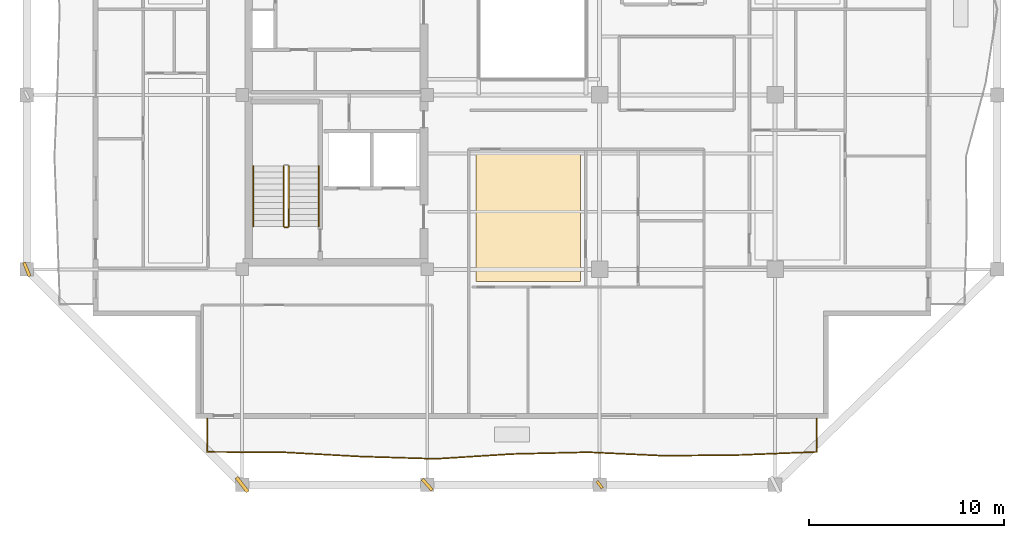
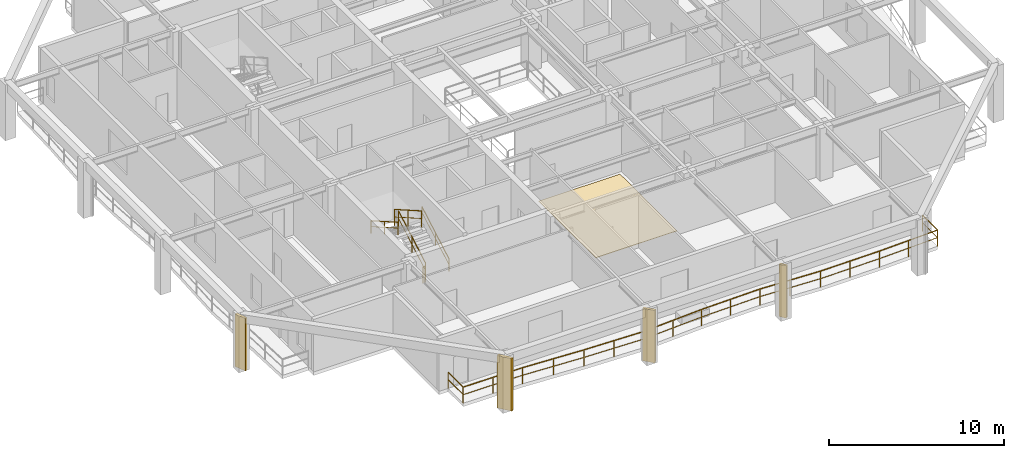
# One storey, part 7 of 11: 6 railings, 4 shading devices, 1 covering.
"""IFC4 building model written with IfcOpenShell, lengths in metres."""

from ifc_helpers import new_model, si_unit, direction, frame, origin, origin_2d, place, context, subcontext, project, spatial, polyline, rectangle, outline, extrude, material, layer, layer_set, type_object, element, save


model = new_model("IFC4")

# Units and contexts
model_context = context("Model", 3, precision=1e-05, world=origin(), true_north=direction((0.0, 1.0)))
body_context = subcontext(model_context, "Body", "Model", "MODEL_VIEW")
ifc_project = project(units=[si_unit("LENGTHUNIT", "METRE"), si_unit("AREAUNIT", "SQUARE_METRE"), si_unit("VOLUMEUNIT", "CUBIC_METRE"), si_unit("PLANEANGLEUNIT", "RADIAN"), si_unit("MASSUNIT", "GRAM", prefix="KILO")], contexts=[model_context])

# Site, building, storey
site_placement = place(None, origin())
site = spatial("IfcSite", under=ifc_project, at=site_placement, CompositionType="ELEMENT")
building_placement = place(site_placement, origin())
building = spatial("IfcBuilding", under=site, at=building_placement, Name="Kundavana Baori Tower", CompositionType="ELEMENT")
storey_placement = place(building_placement, frame((0.0, 0.0, 218.0)))
storey = spatial("IfcBuildingStorey", under=building, at=storey_placement, Name="L53", CompositionType="ELEMENT", Elevation=218.0)

# Covering
ifc_material_1 = material(Name="Honed Kota Stone and Terrazzo Flooring", Category="masonry")
ifc_layer = layer(ifc_material_1, 0.030029296875, Name="COV-INT-FLR")
ifc_layer_set = layer_set([ifc_layer], Name="Honed Kota Stone and Terrazzo Flooring")
covering_type = type_object("IfcCoveringType", Name="COV-INT-FLR", PredefinedType="FLOORING", material=ifc_layer_set)
covering_placement = place(storey_placement, origin())
element("IfcCovering", 1, at=covering_placement, inside=storey, type_object=covering_type, Name="L53 Room Finished Stone Flooring 3", PredefinedType="FLOORING", context=body_context, shape_type="SweptSolid", body=[
    extrude(outline(polyline([(27.43994140625, 14.6201171875), (32.81005859375, 14.6201171875), (32.81005859375, 21.139892578125), (27.43994140625, 21.139892578125), (27.43994140625, 14.6201171875)])), origin(), (0.0, 0.0, 1.0), 0.030029296875),
])

# Railings
ifc_material_2 = material(Name="Architectural Patinated Bronze Metalwork")
railing_type_1 = type_object("IfcRailingType", Name="RL-BAL-1150", PredefinedType="BALUSTRADE", material=ifc_material_2)
railing_1_placement = place(storey_placement, frame((44.949951171875, 7.60009765625, 0.0)))
element("IfcRailing", 2, at=railing_1_placement, inside=storey, type_object=railing_type_1, Name="L53 Loggia Balcony Balustrade S", PredefinedType="BALUSTRADE", context=body_context, shape_type="SweptSolid", body=[
    extrude(rectangle(XDim=0.048095703125, YDim=0.048095703125, at=origin_2d()), frame((0.0, 0.0, 1.1259765625), z_axis=(0.0, -1.0, 0.0), x_axis=(1.0, 0.0, 0.0)), (0.0, 0.0, 1.0), 1.72021484375),
    extrude(rectangle(XDim=0.03125, YDim=0.03125, at=origin_2d()), frame((0.0, 0.0, 0.597900390625), z_axis=(0.0, -1.0, 0.0), x_axis=(1.0, 0.0, 0.0)), (0.0, 0.0, 1.0), 1.72021484375),
    extrude(rectangle(XDim=0.048095703125, YDim=0.048095703125, at=origin_2d()), frame((0.0, -1.72021484375, 1.1259765625), z_axis=(-0.999185745422, -0.040346575378, 0.0), x_axis=(0.040346575378, -0.999185745422, 0.0)), (0.0, 0.0, 1.0), 3.9150390625),
    extrude(rectangle(XDim=0.03125, YDim=0.03125, at=origin_2d()), frame((0.0, -1.72021484375, 0.597900390625), z_axis=(-0.999185745422, -0.040346575378, 0.0), x_axis=(0.040346575378, -0.999185745422, 0.0)), (0.0, 0.0, 1.0), 3.9150390625),
    extrude(rectangle(XDim=0.048095703125, YDim=0.048095703125, at=origin_2d()), frame((-3.911865234375, -1.878173828125, 1.1259765625), z_axis=(-0.999942425427, -0.010730602519, 0.0), x_axis=(0.010730602519, -0.999942425427, 0.0)), (0.0, 0.0, 1.0), 3.913330078125),
    extrude(rectangle(XDim=0.03125, YDim=0.03125, at=origin_2d()), frame((-3.911865234375, -1.878173828125, 0.597900390625), z_axis=(-0.999942425427, -0.010730602519, 0.0), x_axis=(0.010730602519, -0.999942425427, 0.0)), (0.0, 0.0, 1.0), 3.913330078125),
    extrude(rectangle(XDim=0.048095703125, YDim=0.048095703125, at=origin_2d()), frame((-7.824951171875, -1.920166015625, 1.1259765625), z_axis=(-0.998906452075, 0.046753609527, 0.0), x_axis=(-0.046753609527, -0.998906452075, 0.0)), (0.0, 0.0, 1.0), 3.91650390625),
    extrude(rectangle(XDim=0.03125, YDim=0.03125, at=origin_2d()), frame((-7.824951171875, -1.920166015625, 0.597900390625), z_axis=(-0.998906452075, 0.046753609527, 0.0), x_axis=(-0.046753609527, -0.998906452075, 0.0)), (0.0, 0.0, 1.0), 3.91650390625),
    extrude(rectangle(XDim=0.048095703125, YDim=0.048095703125, at=origin_2d()), frame((-11.737060546875, -1.737060546875, 1.1259765625), z_axis=(-0.999717556584, -0.023765669748, 0.0), x_axis=(0.023765669748, -0.999717556584, 0.0)), (0.0, 0.0, 1.0), 3.9140625),
    extrude(rectangle(XDim=0.03125, YDim=0.03125, at=origin_2d()), frame((-11.737060546875, -1.737060546875, 0.597900390625), z_axis=(-0.999717556584, -0.023765669748, 0.0), x_axis=(0.023765669748, -0.999717556584, 0.0)), (0.0, 0.0, 1.0), 3.9140625),
    extrude(rectangle(XDim=0.048095703125, YDim=0.048095703125, at=origin_2d()), frame((-15.64990234375, -1.830078125, 1.1259765625), z_axis=(-0.998011652171, -0.063029692461, 0.0), x_axis=(0.063029692461, -0.998011652171, 0.0)), (0.0, 0.0, 1.0), 3.919921875),
    extrude(rectangle(XDim=0.03125, YDim=0.03125, at=origin_2d()), frame((-15.64990234375, -1.830078125, 0.597900390625), z_axis=(-0.998011652171, -0.063029692461, 0.0), x_axis=(0.063029692461, -0.998011652171, 0.0)), (0.0, 0.0, 1.0), 3.919921875),
    extrude(rectangle(XDim=0.048095703125, YDim=0.048095703125, at=origin_2d()), frame((-19.56201171875, -2.0771484375, 1.1259765625), z_axis=(-0.999529143125, 0.030683742336, 0.0), x_axis=(-0.030683742336, -0.999529143125, 0.0)), (0.0, 0.0, 1.0), 3.914794921875),
    extrude(rectangle(XDim=0.03125, YDim=0.03125, at=origin_2d()), frame((-19.56201171875, -2.0771484375, 0.597900390625), z_axis=(-0.999529143125, 0.030683742336, 0.0), x_axis=(-0.030683742336, -0.999529143125, 0.0)), (0.0, 0.0, 1.0), 3.914794921875),
    extrude(rectangle(XDim=0.048095703125, YDim=0.048095703125, at=origin_2d()), frame((-23.474853515625, -1.95703125, 1.1259765625), z_axis=(-0.998465332781, 0.055380314502, 0.0), x_axis=(-0.055380314502, -0.998465332781, 0.0)), (0.0, 0.0, 1.0), 3.919189453125),
    extrude(rectangle(XDim=0.03125, YDim=0.03125, at=origin_2d()), frame((-23.474853515625, -1.95703125, 0.597900390625), z_axis=(-0.998465332781, 0.055380314502, 0.0), x_axis=(-0.055380314502, -0.998465332781, 0.0)), (0.0, 0.0, 1.0), 3.919189453125),
    extrude(rectangle(XDim=0.048095703125, YDim=0.048095703125, at=origin_2d()), frame((-27.387939453125, -1.739990234375, 1.1259765625), z_axis=(-0.999987224149, 0.005054853043, 0.0), x_axis=(-0.005054853043, -0.999987224149, 0.0)), (0.0, 0.0, 1.0), 3.912109375),
    extrude(rectangle(XDim=0.03125, YDim=0.03125, at=origin_2d()), frame((-27.387939453125, -1.739990234375, 0.597900390625), z_axis=(-0.999987224149, 0.005054853043, 0.0), x_axis=(-0.005054853043, -0.999987224149, 0.0)), (0.0, 0.0, 1.0), 3.912109375),
    extrude(rectangle(XDim=0.048095703125, YDim=0.048095703125, at=origin_2d()), frame((-31.300048828125, -1.72021484375, 1.1259765625), z_axis=(0.0, 1.0, 0.0), x_axis=(-1.0, 0.0, 0.0)), (0.0, 0.0, 1.0), 1.72021484375),
    extrude(rectangle(XDim=0.03125, YDim=0.03125, at=origin_2d()), frame((-31.300048828125, -1.72021484375, 0.597900390625), z_axis=(0.0, 1.0, 0.0), x_axis=(-1.0, 0.0, 0.0)), (0.0, 0.0, 1.0), 1.72021484375),
    extrude(rectangle(XDim=0.0419921875, YDim=0.0419921875, at=origin_2d()), origin(), (0.0, 0.0, 1.0), 1.101806640625),
    extrude(rectangle(XDim=0.0419921875, YDim=0.0419921875, at=origin_2d()), frame((0.0, -1.72021484375, 0.0)), (0.0, 0.0, 1.0), 1.101806640625),
    extrude(rectangle(XDim=0.0419921875, YDim=0.0419921875, at=origin_2d()), frame((-1.9560546875, -1.79931640625, 0.0)), (0.0, 0.0, 1.0), 1.101806640625),
    extrude(rectangle(XDim=0.0419921875, YDim=0.0419921875, at=origin_2d()), frame((-3.911865234375, -1.878173828125, 0.0)), (0.0, 0.0, 1.0), 1.101806640625),
    extrude(rectangle(XDim=0.0419921875, YDim=0.0419921875, at=origin_2d()), frame((-5.868408203125, -1.899169921875, 0.0)), (0.0, 0.0, 1.0), 1.101806640625),
    extrude(rectangle(XDim=0.0419921875, YDim=0.0419921875, at=origin_2d()), frame((-7.824951171875, -1.920166015625, 0.0)), (0.0, 0.0, 1.0), 1.101806640625),
    extrude(rectangle(XDim=0.0419921875, YDim=0.0419921875, at=origin_2d()), frame((-9.781005859375, -1.82861328125, 0.0)), (0.0, 0.0, 1.0), 1.101806640625),
    extrude(rectangle(XDim=0.0419921875, YDim=0.0419921875, at=origin_2d()), frame((-11.737060546875, -1.737060546875, 0.0)), (0.0, 0.0, 1.0), 1.101806640625),
    extrude(rectangle(XDim=0.0419921875, YDim=0.0419921875, at=origin_2d()), frame((-13.693359375, -1.78369140625, 0.0)), (0.0, 0.0, 1.0), 1.101806640625),
    extrude(rectangle(XDim=0.0419921875, YDim=0.0419921875, at=origin_2d()), frame((-15.64990234375, -1.830078125, 0.0)), (0.0, 0.0, 1.0), 1.101806640625),
    extrude(rectangle(XDim=0.0419921875, YDim=0.0419921875, at=origin_2d()), frame((-17.60595703125, -1.95361328125, 0.0)), (0.0, 0.0, 1.0), 1.101806640625),
    extrude(rectangle(XDim=0.0419921875, YDim=0.0419921875, at=origin_2d()), frame((-19.56201171875, -2.0771484375, 0.0)), (0.0, 0.0, 1.0), 1.101806640625),
    extrude(rectangle(XDim=0.0419921875, YDim=0.0419921875, at=origin_2d()), frame((-21.5185546875, -2.01708984375, 0.0)), (0.0, 0.0, 1.0), 1.101806640625),
    extrude(rectangle(XDim=0.0419921875, YDim=0.0419921875, at=origin_2d()), frame((-23.474853515625, -1.95703125, 0.0)), (0.0, 0.0, 1.0), 1.101806640625),
    extrude(rectangle(XDim=0.0419921875, YDim=0.0419921875, at=origin_2d()), frame((-25.431396484375, -1.8486328125, 0.0)), (0.0, 0.0, 1.0), 1.101806640625),
    extrude(rectangle(XDim=0.0419921875, YDim=0.0419921875, at=origin_2d()), frame((-27.387939453125, -1.739990234375, 0.0)), (0.0, 0.0, 1.0), 1.101806640625),
    extrude(rectangle(XDim=0.0419921875, YDim=0.0419921875, at=origin_2d()), frame((-29.343994140625, -1.72998046875, 0.0)), (0.0, 0.0, 1.0), 1.101806640625),
    extrude(rectangle(XDim=0.0419921875, YDim=0.0419921875, at=origin_2d()), frame((-31.300048828125, -1.72021484375, 0.0)), (0.0, 0.0, 1.0), 1.101806640625),
    extrude(rectangle(XDim=0.0419921875, YDim=0.0419921875, at=origin_2d()), frame((-31.300048828125, 0.0, 0.0)), (0.0, 0.0, 1.0), 1.101806640625),
])
ifc_material_3 = material(Name="Architectural Patinated Bronze Metalwork")
railing_type_2 = type_object("IfcRailingType", Name="RL-GRD-1150", PredefinedType="GUARDRAIL", material=ifc_material_3)
railing_2_placement = place(storey_placement, frame((17.840087890625, 17.449951171875, 0.17724609375)))
element("IfcRailing", 3, at=railing_2_placement, inside=storey, type_object=railing_type_2, Name="L53 ST1 stair guard 1", PredefinedType="GUARDRAIL", context=body_context, shape_type="SweptSolid", body=[
    extrude(rectangle(XDim=0.048095703125, YDim=0.048095703125, at=origin_2d()), frame((0.0, 0.0, 1.1259765625), z_axis=(0.0, 0.868095856688, 0.496396599103), x_axis=(-1.0, 0.0, 0.0)), (0.0, 0.0, 1.0), 3.571044921875),
    extrude(rectangle(XDim=0.03125, YDim=0.03125, at=origin_2d()), frame((0.0, 0.0, 0.597900390625), z_axis=(0.0, 0.868095856688, 0.496396599103), x_axis=(-1.0, 0.0, 0.0)), (0.0, 0.0, 1.0), 3.571044921875),
    extrude(rectangle(XDim=0.0419921875, YDim=0.0419921875, at=origin_2d()), origin(), (0.0, 0.0, 1.0), 1.101806640625),
    extrude(rectangle(XDim=0.0419921875, YDim=0.0419921875, at=origin_2d()), frame((0.0, 1.550048828125, 0.88623046875)), (0.0, 0.0, 1.0), 1.101806640625),
    extrude(rectangle(XDim=0.0419921875, YDim=0.0419921875, at=origin_2d()), frame((0.0, 3.10009765625, 1.772705078125)), (0.0, 0.0, 1.0), 1.101806640625),
])
railing_3_placement = place(storey_placement, frame((17.580078125, 20.550048828125, 2.127197265625)))
element("IfcRailing", 4, at=railing_3_placement, inside=storey, type_object=railing_type_2, Name="L53 ST1 stair guard 3", PredefinedType="GUARDRAIL", context=body_context, shape_type="SweptSolid", body=[
    extrude(rectangle(XDim=0.048095703125, YDim=0.048095703125, at=origin_2d()), frame((0.0, 0.0, 1.1259765625), z_axis=(0.0, -0.868095856688, 0.496396599103), x_axis=(1.0, 0.0, 0.0)), (0.0, 0.0, 1.0), 3.571044921875),
    extrude(rectangle(XDim=0.03125, YDim=0.03125, at=origin_2d()), frame((0.0, 0.0, 0.597900390625), z_axis=(0.0, -0.868095856688, 0.496396599103), x_axis=(1.0, 0.0, 0.0)), (0.0, 0.0, 1.0), 3.571044921875),
    extrude(rectangle(XDim=0.0419921875, YDim=0.0419921875, at=origin_2d()), origin(), (0.0, 0.0, 1.0), 1.101806640625),
    extrude(rectangle(XDim=0.0419921875, YDim=0.0419921875, at=origin_2d()), frame((0.0, -1.550048828125, 0.88623046875)), (0.0, 0.0, 1.0), 1.101806640625),
    extrude(rectangle(XDim=0.0419921875, YDim=0.0419921875, at=origin_2d()), frame((0.0, -3.10009765625, 1.772705078125)), (0.0, 0.0, 1.0), 1.101806640625),
])
railing_4_placement = place(storey_placement, frame((17.7900390625, 17.39990234375, 0.0)))
element("IfcRailing", 5, at=railing_4_placement, inside=storey, type_object=railing_type_2, Name="L53 ST1 stair guard 4", PredefinedType="GUARDRAIL", context=body_context, shape_type="SweptSolid", body=[
    extrude(rectangle(XDim=0.048095703125, YDim=0.048095703125, at=origin_2d()), frame((0.0, 0.0, 1.1259765625), z_axis=(-1.0, 0.0, 0.0), x_axis=(0.0, -1.0, 0.0)), (0.0, 0.0, 1.0), 0.16015625),
    extrude(rectangle(XDim=0.03125, YDim=0.03125, at=origin_2d()), frame((0.0, 0.0, 0.597900390625), z_axis=(-1.0, 0.0, 0.0), x_axis=(0.0, -1.0, 0.0)), (0.0, 0.0, 1.0), 0.16015625),
    extrude(rectangle(XDim=0.0419921875, YDim=0.0419921875, at=origin_2d()), origin(), (0.0, 0.0, 1.0), 1.101806640625),
    extrude(rectangle(XDim=0.0419921875, YDim=0.0419921875, at=origin_2d()), frame((-0.16015625, 0.0, 0.0)), (0.0, 0.0, 1.0), 1.101806640625),
])
ifc_material_4 = material(Name="Architectural Patinated Bronze Metalwork")
railing_type_3 = type_object("IfcRailingType", Name="RL-HND-920", PredefinedType="HANDRAIL", material=ifc_material_4)
railing_5_placement = place(storey_placement, frame((19.389892578125, 17.449951171875, 0.17724609375)))
element("IfcRailing", 6, at=railing_5_placement, inside=storey, type_object=railing_type_3, Name="L53 ST1 stair handrail 1", PredefinedType="HANDRAIL", context=body_context, shape_type="SweptSolid", body=[
    extrude(rectangle(XDim=0.048095703125, YDim=0.048095703125, at=origin_2d()), frame((0.0, 0.0, 0.8759765625), z_axis=(0.0, 0.868095856688, 0.496396599103), x_axis=(-1.0, 0.0, 0.0)), (0.0, 0.0, 1.0), 3.571044921875),
    extrude(rectangle(XDim=0.03125, YDim=0.03125, at=origin_2d()), frame((0.0, 0.0, 0.468017578125), z_axis=(0.0, 0.868095856688, 0.496396599103), x_axis=(-1.0, 0.0, 0.0)), (0.0, 0.0, 1.0), 3.571044921875),
    extrude(rectangle(XDim=0.0419921875, YDim=0.0419921875, at=origin_2d()), origin(), (0.0, 0.0, 1.0), 0.851806640625),
    extrude(rectangle(XDim=0.0419921875, YDim=0.0419921875, at=origin_2d()), frame((0.0, 1.550048828125, 0.88623046875)), (0.0, 0.0, 1.0), 0.851806640625),
    extrude(rectangle(XDim=0.0419921875, YDim=0.0419921875, at=origin_2d()), frame((0.0, 3.10009765625, 1.772705078125)), (0.0, 0.0, 1.0), 0.851806640625),
])
railing_6_placement = place(storey_placement, frame((16.030029296875, 20.550048828125, 2.127197265625)))
element("IfcRailing", 7, at=railing_6_placement, inside=storey, type_object=railing_type_3, Name="L53 ST1 stair handrail 2", PredefinedType="HANDRAIL", context=body_context, shape_type="SweptSolid", body=[
    extrude(rectangle(XDim=0.048095703125, YDim=0.048095703125, at=origin_2d()), frame((0.0, 0.0, 0.8759765625), z_axis=(0.0, -0.868095856688, 0.496396599103), x_axis=(1.0, 0.0, 0.0)), (0.0, 0.0, 1.0), 3.571044921875),
    extrude(rectangle(XDim=0.03125, YDim=0.03125, at=origin_2d()), frame((0.0, 0.0, 0.468017578125), z_axis=(0.0, -0.868095856688, 0.496396599103), x_axis=(1.0, 0.0, 0.0)), (0.0, 0.0, 1.0), 3.571044921875),
    extrude(rectangle(XDim=0.0419921875, YDim=0.0419921875, at=origin_2d()), origin(), (0.0, 0.0, 1.0), 0.851806640625),
    extrude(rectangle(XDim=0.0419921875, YDim=0.0419921875, at=origin_2d()), frame((0.0, -1.550048828125, 0.88623046875)), (0.0, 0.0, 1.0), 0.851806640625),
    extrude(rectangle(XDim=0.0419921875, YDim=0.0419921875, at=origin_2d()), frame((0.0, -3.10009765625, 1.772705078125)), (0.0, 0.0, 1.0), 0.851806640625),
])

# Shading devices
ifc_material_5 = material(Name="Red-Buff Dholpur Sandstone Cladding on Concrete C40/50", Category="masonry")
shading_device_type_1 = type_object("IfcShadingDeviceType", Name="SHD-FIN-750", PredefinedType="JALOUSIE", material=ifc_material_5)
for number, where, z_axis, x_axis, name in (
    (8, (24.949951171875, 4.199951171875, 0.0), (0.0, 0.0, 1.0), (0.744078383351, 0.668092328522, 0.0), "L53 Sweeping Dholpur Sandstone Facade Fin 2"),
    (9, (4.39990234375, 15.25, 0.0), (0.0, 0.0, 1.0), (0.927183854567, 0.374606593416, 0.0), "L53 Sweeping Dholpur Sandstone Facade Fin 5"),
):
    element("IfcShadingDevice", number, at=place(storey_placement, frame(where, z_axis=z_axis, x_axis=x_axis)), inside=storey, type_object=shading_device_type_1, Name=name, PredefinedType="JALOUSIE", context=body_context, shape_type="SweptSolid", body=[
        extrude(rectangle(XDim=0.159912109375, YDim=0.75, at=origin_2d()), origin(), (0.0, 0.0, 1.0), 3.659912109375),
    ])
ifc_material_6 = material(Name="Red-Buff Dholpur Sandstone Cladding on Concrete C40/50", Category="masonry")
shading_device_type_2 = type_object("IfcShadingDeviceType", Name="SHD-FIN-920", PredefinedType="JALOUSIE", material=ifc_material_6)
shading_device_1_placement = place(storey_placement, frame((15.449951171875, 4.199951171875, 0.0), z_axis=(0.0, 0.0, 1.0), x_axis=(0.783151105291, 0.621831445234, 0.0)))
element("IfcShadingDevice", 10, at=shading_device_1_placement, inside=storey, type_object=shading_device_type_2, Name="L53 Sweeping Dholpur Sandstone Facade Fin 1", PredefinedType="JALOUSIE", context=body_context, shape_type="SweptSolid", body=[
    extrude(rectangle(XDim=0.179931640625, YDim=0.919921875, at=origin_2d()), origin(), (0.0, 0.0, 1.0), 3.659912109375),
])
ifc_material_7 = material(Name="Architectural Patinated Bronze Metalwork")
shading_device_type_3 = type_object("IfcShadingDeviceType", Name="SHD-LOUV-450", PredefinedType="SHUTTER", material=ifc_material_7)
shading_device_2_placement = place(storey_placement, frame((33.800048828125, 4.199951171875, 0.0), z_axis=(0.0, 0.0, 1.0), x_axis=(0.806238149135, 0.591591114605, 0.0)))
element("IfcShadingDevice", 11, at=shading_device_2_placement, inside=storey, type_object=shading_device_type_3, Name="L53 Sweeping Dholpur Sandstone Facade Fin 3", PredefinedType="SHUTTER", context=body_context, shape_type="SweptSolid", body=[
    extrude(rectangle(XDim=0.139892578125, YDim=0.449951171875, at=origin_2d()), origin(), (0.0, 0.0, 1.0), 3.659912109375),
])

save(model, "model.ifc")
